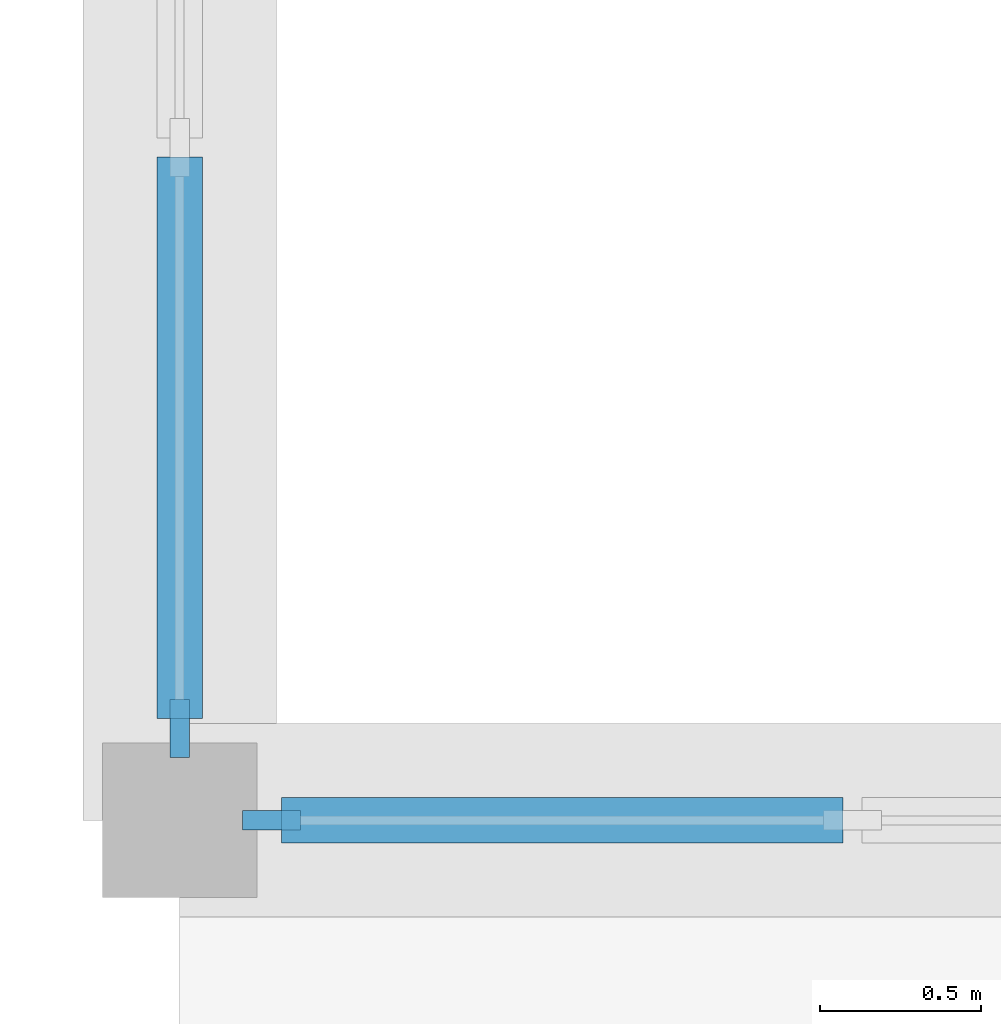
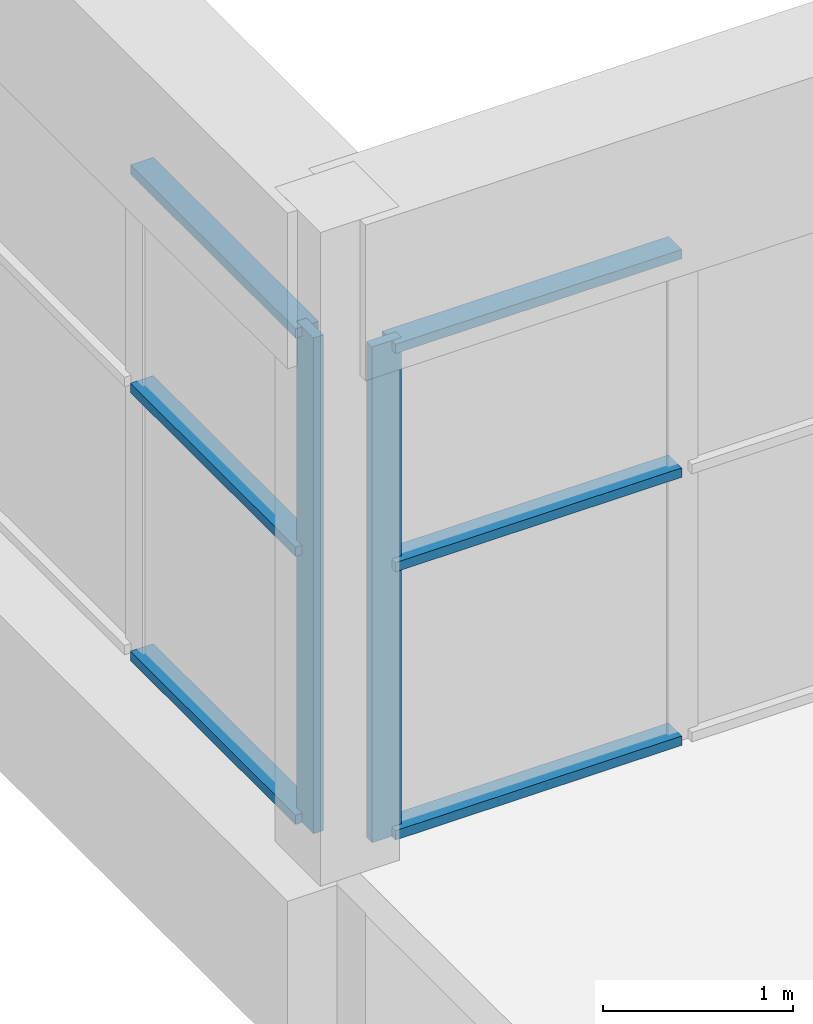
# One storey, part 4 of 70: 8 members, 2 elements without a shape of their own.
"""IFC4 building model written with IfcOpenShell, lengths in metres."""

from ifc_helpers import new_model, si_unit, direction, frame, origin, origin_2d, place, context, subcontext, project, spatial, rectangle, extrude, material, layer, layer_set, material_profile, profile_set, type_object, element, aggregate, save


model = new_model("IFC4")

# Units and contexts
model_context = context("Model", 3, precision=1e-05, world=origin(), true_north=direction((0.0, 1.0)))
body_context = subcontext(model_context, "Body", "Model", "MODEL_VIEW")
ifc_project = project(units=[si_unit("LENGTHUNIT", "METRE"), si_unit("AREAUNIT", "SQUARE_METRE"), si_unit("VOLUMEUNIT", "CUBIC_METRE"), si_unit("PLANEANGLEUNIT", "RADIAN"), si_unit("MASSUNIT", "GRAM", prefix="KILO")], contexts=[model_context])

# Site, building, storey
site_placement = place(None, origin())
site = spatial("IfcSite", under=ifc_project, at=site_placement, CompositionType="ELEMENT")
building_placement = place(site_placement, origin())
building = spatial("IfcBuilding", under=site, at=building_placement, Name="Solvane Community Centre", CompositionType="ELEMENT")
storey_placement = place(building_placement, frame((0.0, 0.0, 9.60009765625)))
storey = spatial("IfcBuildingStorey", under=building, at=storey_placement, Name="L02", CompositionType="ELEMENT", Elevation=9.60009765625)

# Curtain wall, member
ifc_material = material(Name="Anodised bronze aluminium AW-6063 T6", Category="aluminium")
ifc_layer = layer(ifc_material, 0.179931640625)
ifc_layer_set = layer_set([ifc_layer], Name="Anodised bronze aluminium AW-6063 T6")
curtain_wall_type = type_object("IfcCurtainWallType", Name="Hall Translucent Upper Curtain Wall [55x32dm]", PredefinedType="NOTDEFINED", material=ifc_layer_set)
curtain_wall_1_placement = place(storey_placement, origin())
curtain_wall_1 = element("IfcCurtainWall", 1, at=curtain_wall_1_placement, inside=storey, type_object=curtain_wall_type, Name="Curtain Wall CW-L02-360_417-128", PredefinedType="NOTDEFINED")
ifc_material_profile_1 = material_profile(ifc_material, rectangle(XDim=0.06005859375, YDim=0.179931640625, at=origin_2d()), Name="CW-M 60x180")
ifc_profile_set_1 = profile_set([ifc_material_profile_1], Name="Anodised bronze aluminium AW-6063 T6")
member_type_1 = type_object("IfcMemberType", Name="Hall Mullion 60x180", PredefinedType="MULLION", material=ifc_profile_set_1)
member_1_placement = place(storey_placement, frame((36.0, 36.284912109375, 0.0), z_axis=(0.0, 0.0, 1.0), x_axis=(1.0, 0.0, 0.0)))
member_1 = element("IfcMember", 2, at=member_1_placement, type_object=member_type_1, Name="CW01-55x32 mullion 4", PredefinedType="MULLION", context=body_context, shape_type="SweptSolid", body=[
    extrude(rectangle(XDim=0.06005859375, YDim=0.179931640625, at=origin_2d()), origin(), (0.0, 0.0, 1.0), 3.184814453125),
])

curtain_wall_2_placement = place(storey_placement, origin())
curtain_wall_2 = element("IfcCurtainWall", 3, at=curtain_wall_2_placement, inside=storey, type_object=curtain_wall_type, Name="Curtain Wall CW-L02-417_360-153", PredefinedType="NOTDEFINED")
member_2_placement = place(storey_placement, frame((36.284912109375, 36.0, 0.0), z_axis=(0.0, 0.0, 1.0), x_axis=(0.0, -1.0, 0.0)))
member_2 = element("IfcMember", 4, at=member_2_placement, type_object=member_type_1, Name="CW01-55x32 mullion 4", PredefinedType="MULLION", context=body_context, shape_type="SweptSolid", body=[
    extrude(rectangle(XDim=0.06005859375, YDim=0.179931640625, at=origin_2d()), origin(), (0.0, 0.0, 1.0), 3.184814453125),
])

# Member
ifc_material_profile_2 = material_profile(ifc_material, rectangle(XDim=0.139892578125, YDim=0.06005859375, at=origin_2d()), Name="CW-T 60x140")
ifc_profile_set_2 = profile_set([ifc_material_profile_2], Name="Anodised bronze aluminium AW-6063 T6")
member_type_2 = type_object("IfcMemberType", Name="Hall Transom 60x140", PredefinedType="USERDEFINED", material=ifc_profile_set_2)
member_3_placement = place(storey_placement, frame((36.0, 38.054931640625, 0.02978515625), z_axis=(0.0, -1.0, 0.0), x_axis=(1.0, 0.0, 0.0)))
member_3 = element("IfcMember", 5, at=member_3_placement, type_object=member_type_2, Name="CW01-55x32 transom 3.1", ObjectType="TRANSOM", PredefinedType="USERDEFINED", context=body_context, shape_type="SweptSolid", body=[
    extrude(rectangle(XDim=0.139892578125, YDim=0.06005859375, at=origin_2d()), origin(), (0.0, 0.0, 1.0), 1.739990234375),
])

member_4_placement = place(storey_placement, frame((36.0, 38.054931640625, 1.751953125), z_axis=(0.0, -1.0, 0.0), x_axis=(1.0, 0.0, 0.0)))
member_4 = element("IfcMember", 6, at=member_4_placement, type_object=member_type_2, Name="CW01-55x32 transom 3.2", ObjectType="TRANSOM", PredefinedType="USERDEFINED", context=body_context, shape_type="SweptSolid", body=[
    extrude(rectangle(XDim=0.139892578125, YDim=0.06005859375, at=origin_2d()), origin(), (0.0, 0.0, 1.0), 1.739990234375),
])

member_5_placement = place(storey_placement, frame((36.0, 38.054931640625, 3.15478515625), z_axis=(0.0, -1.0, 0.0), x_axis=(1.0, 0.0, 0.0)))
member_5 = element("IfcMember", 7, at=member_5_placement, type_object=member_type_2, Name="CW01-55x32 transom 3.3", ObjectType="TRANSOM", PredefinedType="USERDEFINED", context=body_context, shape_type="SweptSolid", body=[
    extrude(rectangle(XDim=0.139892578125, YDim=0.06005859375, at=origin_2d()), origin(), (0.0, 0.0, 1.0), 1.739990234375),
])

aggregate(curtain_wall_1, [member_1, member_3, member_4, member_5])

member_6_placement = place(storey_placement, frame((38.054931640625, 36.0, 0.02978515625), z_axis=(-1.0, 0.0, 0.0), x_axis=(0.0, -1.0, 0.0)))
member_6 = element("IfcMember", 8, at=member_6_placement, type_object=member_type_2, Name="CW01-55x32 transom 3.1", ObjectType="TRANSOM", PredefinedType="USERDEFINED", context=body_context, shape_type="SweptSolid", body=[
    extrude(rectangle(XDim=0.139892578125, YDim=0.06005859375, at=origin_2d()), origin(), (0.0, 0.0, 1.0), 1.739990234375),
])

member_7_placement = place(storey_placement, frame((38.054931640625, 36.0, 1.751953125), z_axis=(-1.0, 0.0, 0.0), x_axis=(0.0, -1.0, 0.0)))
member_7 = element("IfcMember", 9, at=member_7_placement, type_object=member_type_2, Name="CW01-55x32 transom 3.2", ObjectType="TRANSOM", PredefinedType="USERDEFINED", context=body_context, shape_type="SweptSolid", body=[
    extrude(rectangle(XDim=0.139892578125, YDim=0.06005859375, at=origin_2d()), origin(), (0.0, 0.0, 1.0), 1.739990234375),
])

member_8_placement = place(storey_placement, frame((38.054931640625, 36.0, 3.15478515625), z_axis=(-1.0, 0.0, 0.0), x_axis=(0.0, -1.0, 0.0)))
member_8 = element("IfcMember", 10, at=member_8_placement, type_object=member_type_2, Name="CW01-55x32 transom 3.3", ObjectType="TRANSOM", PredefinedType="USERDEFINED", context=body_context, shape_type="SweptSolid", body=[
    extrude(rectangle(XDim=0.139892578125, YDim=0.06005859375, at=origin_2d()), origin(), (0.0, 0.0, 1.0), 1.739990234375),
])

aggregate(curtain_wall_2, [member_2, member_6, member_7, member_8])

save(model, "model.ifc")
